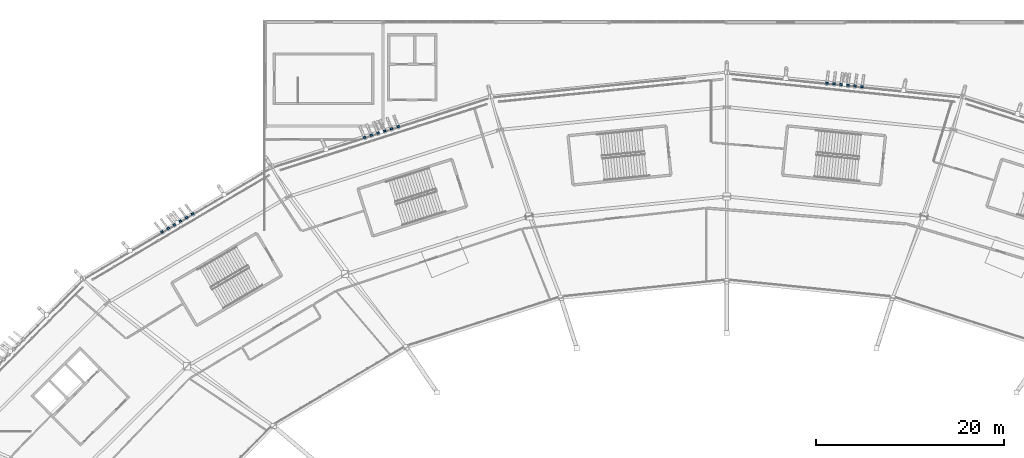
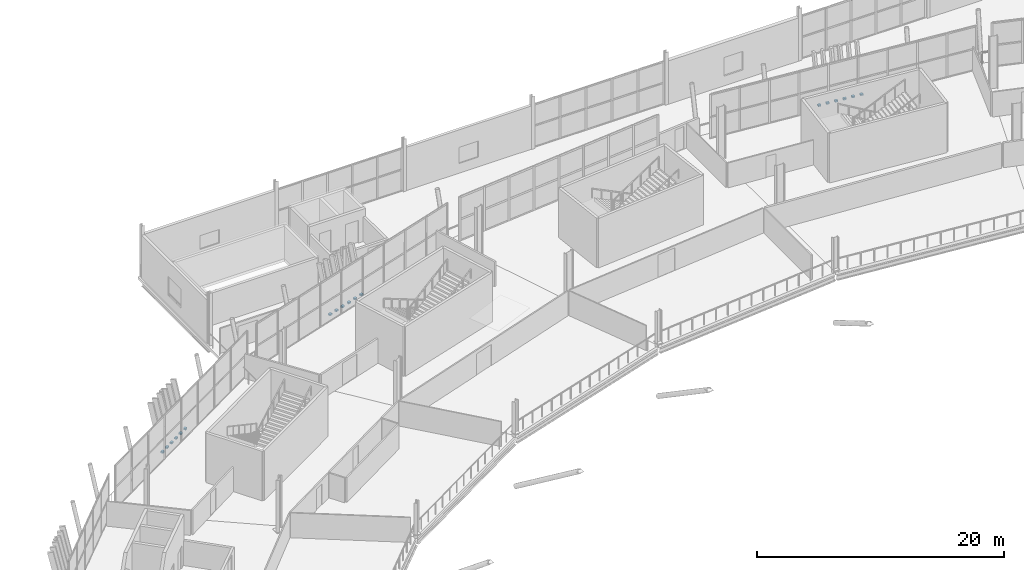
# One storey, part 137 of 168: 18 discrete accessories.
"""IFC4 building model written with IfcOpenShell, lengths in metres."""

from ifc_helpers import new_model, si_unit, direction, frame, origin, origin_2d, place, context, subcontext, project, spatial, rectangle, extrude, material, type_object, element, save


model = new_model("IFC4")

# Units and contexts
model_context = context("Model", 3, precision=1e-05, world=origin(), true_north=direction((0.0, 1.0)))
body_context = subcontext(model_context, "Body", "Model", "MODEL_VIEW")
ifc_project = project(units=[si_unit("LENGTHUNIT", "METRE"), si_unit("AREAUNIT", "SQUARE_METRE"), si_unit("VOLUMEUNIT", "CUBIC_METRE"), si_unit("PLANEANGLEUNIT", "RADIAN"), si_unit("MASSUNIT", "GRAM", prefix="KILO")], contexts=[model_context])

# Site, building, storey
site_placement = place(None, origin())
site = spatial("IfcSite", under=ifc_project, at=site_placement, CompositionType="ELEMENT")
building_placement = place(site_placement, origin())
building = spatial("IfcBuilding", under=site, at=building_placement, Name="Zlatoyarsky Gate Stadium", CompositionType="ELEMENT")
storey_placement = place(building_placement, frame((0.0, 0.0, 15.60009765625)))
storey = spatial("IfcBuildingStorey", under=building, at=storey_placement, Name="L03", CompositionType="ELEMENT", Elevation=15.60009765625)

# Discrete accessories
ifc_material = material(Name="Steel S355", Category="steel")
discrete_accessory_type = type_object("IfcDiscreteAccessoryType", Name="STEEL LOUVRE ANCHOR BRACKET 260X220X160", PredefinedType="BRACKET", material=ifc_material)
for number, where, z_axis, x_axis, name in (
    (1, (125.369140625, 153.1611328125, -0.02001953125), (0.0, 0.0, 1.0), (-0.994870662806, 0.101155149583, 0.0), "Louvre anchor bracket L03-05-1"),
    (2, (124.623046875, 153.237060546875, -0.02001953125), (0.0, 0.0, 1.0), (-0.994870662806, 0.101155149583, 0.0), "Louvre anchor bracket L03-05-2"),
    (3, (123.876953125, 153.31298828125, -0.02001953125), (0.0, 0.0, 1.0), (-0.994870662806, 0.101155149583, 0.0), "Louvre anchor bracket L03-05-3"),
    (4, (123.130859375, 153.388916015625, -0.02001953125), (0.0, 0.0, 1.0), (-0.994870662806, 0.101155149583, 0.0), "Louvre anchor bracket L03-05-4"),
    (5, (122.384521484375, 153.464599609375, -0.02001953125), (0.0, 0.0, 1.0), (-0.994870662806, 0.101155149583, 0.0), "Louvre anchor bracket L03-05-5"),
    (6, (121.638427734375, 153.54052734375, -0.02001953125), (0.0, 0.0, 1.0), (-0.994870662806, 0.101155149583, 0.0), "Louvre anchor bracket L03-05-6"),
    (7, (76.12646484375, 148.92333984375, -0.02001953125), (0.0, 0.0, 1.0), (-0.95245128845, -0.304690897682, 0.0), "Louvre anchor bracket L03-07-1"),
    (8, (75.412109375, 148.69482421875, -0.02001953125), (0.0, 0.0, 1.0), (-0.95245128845, -0.304690897682, 0.0), "Louvre anchor bracket L03-07-2"),
    (9, (74.69775390625, 148.46630859375, -0.02001953125), (0.0, 0.0, 1.0), (-0.95245128845, -0.304690897682, 0.0), "Louvre anchor bracket L03-07-3"),
    (10, (73.9833984375, 148.23779296875, -0.02001953125), (0.0, 0.0, 1.0), (-0.95245128845, -0.304690897682, 0.0), "Louvre anchor bracket L03-07-4"),
    (11, (73.26904296875, 148.00927734375, -0.02001953125), (0.0, 0.0, 1.0), (-0.95245128845, -0.304690897682, 0.0), "Louvre anchor bracket L03-07-5"),
    (12, (72.5546875, 147.78076171875, -0.02001953125), (0.0, 0.0, 1.0), (-0.95245128845, -0.304690897682, 0.0), "Louvre anchor bracket L03-07-6"),
    (13, (54.29638671875, 139.651123046875, -0.02001953125), (0.0, 0.0, 1.0), (-0.860284550348, -0.509814174413, 0.0), "Louvre anchor bracket L03-08-1"),
    (14, (53.651123046875, 139.268798828125, -0.02001953125), (0.0, 0.0, 1.0), (-0.860284550348, -0.509814174413, 0.0), "Louvre anchor bracket L03-08-2"),
    (15, (53.006103515625, 138.886474609375, -0.02001953125), (0.0, 0.0, 1.0), (-0.860284550348, -0.509814174413, 0.0), "Louvre anchor bracket L03-08-3"),
    (16, (52.360595703125, 138.504150390625, -0.02001953125), (0.0, 0.0, 1.0), (-0.860284550348, -0.509814174413, 0.0), "Louvre anchor bracket L03-08-4"),
    (17, (51.715576171875, 138.121826171875, -0.02001953125), (0.0, 0.0, 1.0), (-0.860284550348, -0.509814174413, 0.0), "Louvre anchor bracket L03-08-5"),
    (18, (51.0703125, 137.739501953125, -0.02001953125), (0.0, 0.0, 1.0), (-0.860284550348, -0.509814174413, 0.0), "Louvre anchor bracket L03-08-6"),
):
    element("IfcDiscreteAccessory", number, at=place(storey_placement, frame(where, z_axis=z_axis, x_axis=x_axis)), inside=storey, type_object=discrete_accessory_type, Name=name, PredefinedType="BRACKET", context=body_context, shape_type="SweptSolid", body=[
        extrude(rectangle(XDim=0.260009765625, YDim=0.219970703125, at=origin_2d()), origin(), (0.0, 0.0, 1.0), 0.159912109375),
    ])

save(model, "model.ifc")
